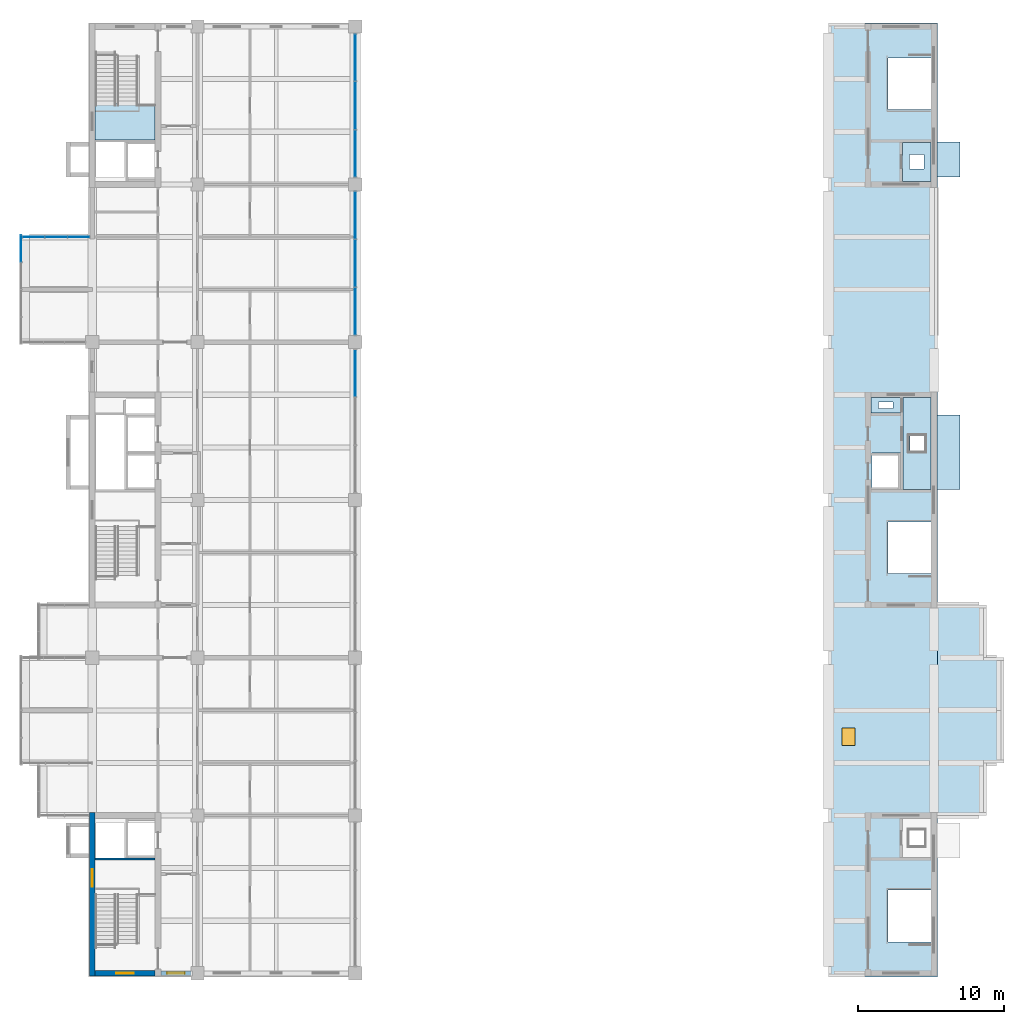
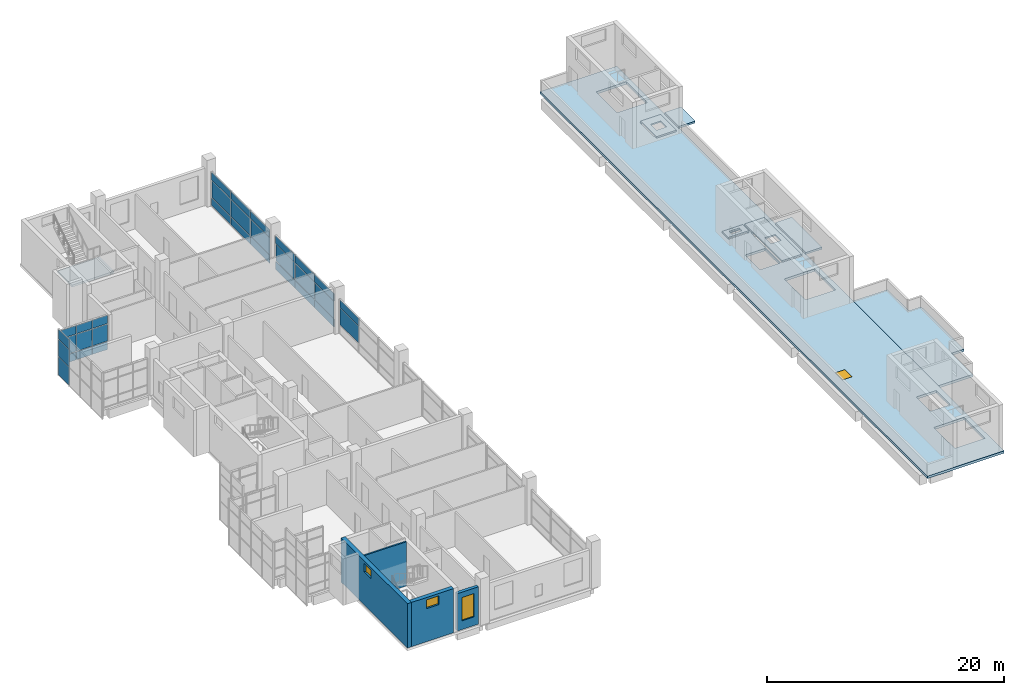
# One storey, part 14 of 23: 32 plates, 8 slabs, 4 walls, 4 windows, 4 openings, 6 elements without a shape of their own.
"""IFC4 building model written with IfcOpenShell, lengths in metres."""

from ifc_helpers import new_model, si_unit, direction, frame, frame_2d, origin, origin_2d, place, context, subcontext, project, spatial, polyline, rectangle, outline, extrude, material, layer, layer_set, type_object, element, fill, aggregate, save


model = new_model("IFC4")

# Units and contexts
model_context = context("Model", 3, precision=1e-05, world=origin(), true_north=direction((0.0, 1.0)))
body_context = subcontext(model_context, "Body", "Model", "MODEL_VIEW")
ifc_project = project(units=[si_unit("LENGTHUNIT", "METRE"), si_unit("AREAUNIT", "SQUARE_METRE"), si_unit("VOLUMEUNIT", "CUBIC_METRE"), si_unit("PLANEANGLEUNIT", "RADIAN"), si_unit("MASSUNIT", "GRAM", prefix="KILO")], contexts=[model_context])

# Site, building, storey
site_placement = place(None, origin())
site = spatial("IfcSite", under=ifc_project, at=site_placement, CompositionType="ELEMENT")
building_placement = place(site_placement, origin())
building = spatial("IfcBuilding", under=site, at=building_placement, Name="Basin Gate Institute", CompositionType="ELEMENT")
storey_placement = place(building_placement, frame((0.0, 0.0, 46.199951171875)))
storey = spatial("IfcBuildingStorey", under=building, at=storey_placement, Name="L09", CompositionType="ELEMENT", Elevation=46.199951171875)

# Slabs
ifc_material_1 = material(Name="Concrete 40 MPa", Category="concrete")
ifc_layer_1 = layer(ifc_material_1, 0.14990234375)
ifc_layer_set_1 = layer_set([ifc_layer_1], Name="Concrete 40 MPa")
slab_type_1 = type_object("IfcSlabType", Name="Penthouse floor slab FS2 R60", PredefinedType="FLOOR", material=ifc_layer_set_1)
slab_1_placement = place(storey_placement, origin())
element("IfcSlab", 1, at=slab_1_placement, inside=storey, type_object=slab_type_1, material=ifc_layer_set_1, Name="Penthouse floor slab FS2 Riser Room EM", PredefinedType="FLOOR", context=body_context, shape_type="SweptSolid", body=[
    extrude(outline(polyline([(114.5, 73.449951171875), (116.5, 73.449951171875), (116.5, 74.5), (114.5, 74.5), (114.5, 73.449951171875)]), holes=[polyline([(115.0, 73.75), (116.0, 73.75), (116.0, 74.199951171875), (115.0, 74.199951171875), (115.0, 73.75)])]), origin(), (0.0, 0.0, 1.0), 0.150146484375),
])
slab_2_placement = place(storey_placement, origin())
element("IfcSlab", 2, at=slab_2_placement, inside=storey, type_object=slab_type_1, material=ifc_layer_set_1, Name="Penthouse floor slab FS2 Exhaust Fan Room EM", PredefinedType="FLOOR", context=body_context, shape_type="SweptSolid", body=[
    extrude(outline(polyline([(116.699951171875, 68.22509765625), (118.60009765625, 68.22509765625), (118.60009765625, 74.5), (116.699951171875, 74.5), (116.699951171875, 68.22509765625)]), holes=[polyline([(117.14990234375, 70.862548828125), (118.14990234375, 70.862548828125), (118.14990234375, 71.862548828125), (117.14990234375, 71.862548828125), (117.14990234375, 70.862548828125)])]), origin(), (0.0, 0.0, 1.0), 0.150146484375),
])
slab_3_placement = place(storey_placement, origin())
element("IfcSlab", 3, at=slab_3_placement, inside=storey, type_object=slab_type_1, material=ifc_layer_set_1, Name="Penthouse floor slab FS2 Electrical Room EN", PredefinedType="FLOOR", context=body_context, shape_type="SweptSolid", body=[
    extrude(outline(polyline([(116.64990234375, 89.300048828125), (118.60009765625, 89.300048828125), (118.60009765625, 91.97509765625), (116.64990234375, 91.97509765625), (116.64990234375, 89.300048828125)]), holes=[polyline([(117.125, 90.137451171875), (118.125, 90.137451171875), (118.125, 91.137451171875), (117.125, 91.137451171875), (117.125, 90.137451171875)])]), origin(), (0.0, 0.0, 1.0), 0.150146484375),
])

# Slab, opening, window
ifc_material_2 = material(Name="Concrete 40 MPa", Category="concrete")
ifc_layer_2 = layer(ifc_material_2, 0.25)
ifc_layer_set_2 = layer_set([ifc_layer_2], Name="Concrete 40 MPa")
slab_type_2 = type_object("IfcSlabType", Name="Slab RS4 R120", PredefinedType="ROOF", material=ifc_layer_set_2)
slab_4_placement = place(storey_placement, frame((0.0, 0.0, -0.25)))
slab_4 = element("IfcSlab", 4, at=slab_4_placement, inside=storey, type_object=slab_type_2, material=ifc_layer_set_2, Name="SLAB/L09/E", PredefinedType="ROOF", context=body_context, shape_type="SweptSolid", body=[
    extrude(outline(polyline([(119.050048828125, 100.14990234375), (111.60009765625, 100.14990234375), (111.60009765625, 34.85009765625), (119.050048828125, 34.85009765625), (119.050048828125, 100.14990234375)]), holes=[polyline([(118.60009765625, 40.7900390625), (115.64990234375, 40.7900390625), (115.64990234375, 37.25), (118.60009765625, 37.25), (118.60009765625, 40.7900390625)]), polyline([(118.60009765625, 65.989990234375), (115.64990234375, 65.989990234375), (115.64990234375, 62.449951171875), (118.60009765625, 62.449951171875), (118.60009765625, 65.989990234375)]), polyline([(118.60009765625, 97.75), (115.64990234375, 97.75), (115.64990234375, 94.2099609375), (118.60009765625, 94.2099609375), (118.60009765625, 97.75)]), polyline([(118.550048828125, 45.39990234375), (116.60009765625, 45.39990234375), (116.60009765625, 43.0), (118.550048828125, 43.0), (118.550048828125, 45.39990234375)]), polyline([(118.550048828125, 73.300048828125), (116.60009765625, 73.300048828125), (116.60009765625, 68.199951171875), (118.550048828125, 68.199951171875), (118.550048828125, 73.300048828125)]), polyline([(116.5, 74.39990234375), (114.550048828125, 74.39990234375), (114.550048828125, 73.39990234375), (116.5, 73.39990234375), (116.5, 74.39990234375)]), polyline([(118.550048828125, 92.0), (116.60009765625, 92.0), (116.60009765625, 89.60009765625), (118.550048828125, 89.60009765625), (118.550048828125, 92.0)]), polyline([(116.5, 70.699951171875), (114.550048828125, 70.699951171875), (114.550048828125, 68.199951171875), (116.5, 68.199951171875), (116.5, 70.699951171875)]), polyline([(112.5, 50.699951171875), (113.39990234375, 50.699951171875), (113.39990234375, 51.89990234375), (112.5, 51.89990234375), (112.5, 50.699951171875)])]), origin(), (0.0, 0.0, 1.0), 0.25),
])
opening_1_placement = place(slab_4_placement, frame((112.949951171875, 51.300048828125, 0.0)))
opening_1 = element("IfcOpeningElement", 5, at=opening_1_placement, cuts=slab_4, Name="Opening RH1", PredefinedType="OPENING", context=body_context, shape_type="SweptSolid", body=[
    extrude(rectangle(XDim=0.89990234375, YDim=1.199951171875, at=origin_2d()), origin(), (0.0, 0.0, 1.0), 0.25),
])
ifc_material_3 = material(Name="Aluminium", Category="aluminium")
window_type_1 = type_object("IfcWindowType", Name="Roof access hatch RH1", PartitioningType="SINGLE_PANEL", PredefinedType="SKYLIGHT", material=ifc_material_3)
window_1_placement = place(opening_1_placement, frame((0.0, 0.0, 0.199951171875)))
window_1 = element("IfcWindow", 6, at=window_1_placement, inside=storey, type_object=window_type_1, material=ifc_material_3, Name="Roof access hatch RH1 E", OverallHeight=1.199951171875, OverallWidth=0.89990234375, PartitioningType="SINGLE_PANEL", PredefinedType="SKYLIGHT", context=body_context, shape_type="SweptSolid", body=[
    extrude(rectangle(XDim=0.89990234375, YDim=1.199951171875, at=origin_2d()), origin(), (0.0, 0.0, 1.0), 0.050048828125),
])
fill(opening_1, window_1)

# Slabs
slab_5_placement = place(storey_placement, frame((0.0, 0.0, -0.25)))
element("IfcSlab", 7, at=slab_5_placement, inside=storey, type_object=slab_type_2, material=ifc_layer_set_2, Name="SLAB/L09/EK11", PredefinedType="ROOF", context=body_context, shape_type="SweptSolid", body=[
    extrude(outline(polyline([(119.050048828125, 45.89990234375), (119.050048828125, 60.300048828125), (122.39990234375, 60.300048828125), (122.39990234375, 56.699951171875), (123.60009765625, 56.699951171875), (123.60009765625, 49.5), (122.39990234375, 49.5), (122.39990234375, 45.89990234375), (119.050048828125, 45.89990234375)])), origin(), (0.0, 0.0, 1.0), 0.25),
])
ifc_material_4 = material(Name="Concrete 40 MPa", Category="concrete")
ifc_layer_3 = layer(ifc_material_4, 0.199951171875)
ifc_layer_set_3 = layer_set([ifc_layer_3], Name="Concrete 40 MPa")
slab_type_3 = type_object("IfcSlabType", Name="Slab RS8 R120", PredefinedType="ROOF", material=ifc_layer_set_3)
slab_6_placement = place(storey_placement, origin())
element("IfcSlab", 8, at=slab_6_placement, inside=storey, type_object=slab_type_3, material=ifc_layer_set_3, Name="SLAB/L08/EM/SKCAP", PredefinedType="ROOF", context=body_context, shape_type="SweptSolid", body=[
    extrude(outline(polyline([(119.0, 68.199951171875), (120.60009765625, 68.199951171875), (120.60009765625, 73.300048828125), (119.0, 73.300048828125), (119.0, 68.199951171875)])), origin(), (0.0, 0.0, 1.0), 0.199951171875),
])
slab_7_placement = place(storey_placement, origin())
element("IfcSlab", 9, at=slab_7_placement, inside=storey, type_object=slab_type_3, material=ifc_layer_set_3, Name="SLAB/L08/EN/SKCAP", PredefinedType="ROOF", context=body_context, shape_type="SweptSolid", body=[
    extrude(outline(polyline([(119.0, 89.60009765625), (120.60009765625, 89.60009765625), (120.60009765625, 92.0), (119.0, 92.0), (119.0, 89.60009765625)])), origin(), (0.0, 0.0, 1.0), 0.199951171875),
])

# Curtain wall, plate
ifc_material_5 = material(Name="Aluminium-framed glazing", Category="aluminium")
ifc_layer_4 = layer(ifc_material_5, 0.199951171875)
ifc_layer_set_4 = layer_set([ifc_layer_4], Name="Atrium curtain wall CW2")
curtain_wall_type_1 = type_object("IfcCurtainWallType", Name="Atrium curtain wall CW2", PredefinedType="NOTDEFINED", material=ifc_layer_set_4)
curtain_wall_1_placement = place(storey_placement, origin())
curtain_wall_1 = element("IfcCurtainWall", 10, at=curtain_wall_1_placement, inside=storey, type_object=curtain_wall_type_1, material=ifc_layer_set_4, Name="Atrium curtain wall W wing atrium bay 4 L09", PredefinedType="NOTDEFINED")
ifc_material_6 = material(Name="Aluminium insulated spandrel panel", Category="aluminium")
ifc_layer_5 = layer(ifc_material_6, 0.050048828125)
ifc_layer_set_5 = layer_set([ifc_layer_5], Name="Spandrel panel PN2")
plate_type_1 = type_object("IfcPlateType", Name="Spandrel panel PN2", PredefinedType="CURTAIN_PANEL", material=ifc_layer_set_5)
plate_1_placement = place(storey_placement, frame((79.199951171875, 76.18505859375, 2.72998046875), z_axis=(0.0, 0.0, 1.0), x_axis=(0.0, 1.0, 0.0)))
plate_1 = element("IfcPlate", 11, at=plate_1_placement, type_object=plate_type_1, material=ifc_layer_set_5, Name="CW2 spandrel panel 3.3", PredefinedType="CURTAIN_PANEL", context=body_context, shape_type="SweptSolid", body=[
    extrude(rectangle(XDim=3.2099609375, YDim=0.050048828125, at=origin_2d()), origin(), (0.0, 0.0, 1.0), 0.760009765625),
])

# Curtain wall, plates
curtain_wall_2_placement = place(storey_placement, origin())
curtain_wall_2 = element("IfcCurtainWall", 12, at=curtain_wall_2_placement, inside=storey, type_object=curtain_wall_type_1, material=ifc_layer_set_4, Name="Atrium curtain wall W wing atrium bay 5 L09", PredefinedType="NOTDEFINED")
plate_2_placement = place(storey_placement, frame((79.199951171875, 80.4150390625, 0.06005859375), z_axis=(0.0, 0.0, 1.0), x_axis=(0.0, 1.0, 0.0)))
plate_2 = element("IfcPlate", 13, at=plate_2_placement, type_object=plate_type_1, material=ifc_layer_set_5, Name="CW2 spandrel panel 1.1", PredefinedType="CURTAIN_PANEL", context=body_context, shape_type="SweptSolid", body=[
    extrude(rectangle(XDim=3.2099609375, YDim=0.050048828125, at=origin_2d()), origin(), (0.0, 0.0, 1.0), 0.81005859375),
])
plate_3_placement = place(storey_placement, frame((79.199951171875, 80.4150390625, 2.72998046875), z_axis=(0.0, 0.0, 1.0), x_axis=(0.0, 1.0, 0.0)))
plate_3 = element("IfcPlate", 14, at=plate_3_placement, type_object=plate_type_1, material=ifc_layer_set_5, Name="CW2 spandrel panel 1.3", PredefinedType="CURTAIN_PANEL", context=body_context, shape_type="SweptSolid", body=[
    extrude(rectangle(XDim=3.2099609375, YDim=0.050048828125, at=origin_2d()), origin(), (0.0, 0.0, 1.0), 0.760009765625),
])
plate_4_placement = place(storey_placement, frame((79.199951171875, 83.699951171875, 0.06005859375), z_axis=(0.0, 0.0, 1.0), x_axis=(0.0, 1.0, 0.0)))
plate_4 = element("IfcPlate", 15, at=plate_4_placement, type_object=plate_type_1, material=ifc_layer_set_5, Name="CW2 spandrel panel 2.1", PredefinedType="CURTAIN_PANEL", context=body_context, shape_type="SweptSolid", body=[
    extrude(rectangle(XDim=3.239990234375, YDim=0.050048828125, at=origin_2d()), origin(), (0.0, 0.0, 1.0), 0.81005859375),
])
plate_5_placement = place(storey_placement, frame((79.199951171875, 83.699951171875, 2.72998046875), z_axis=(0.0, 0.0, 1.0), x_axis=(0.0, 1.0, 0.0)))
plate_5 = element("IfcPlate", 16, at=plate_5_placement, type_object=plate_type_1, material=ifc_layer_set_5, Name="CW2 spandrel panel 2.3", PredefinedType="CURTAIN_PANEL", context=body_context, shape_type="SweptSolid", body=[
    extrude(rectangle(XDim=3.239990234375, YDim=0.050048828125, at=origin_2d()), origin(), (0.0, 0.0, 1.0), 0.760009765625),
])
plate_6_placement = place(storey_placement, frame((79.199951171875, 86.985107421875, 0.06005859375), z_axis=(0.0, 0.0, 1.0), x_axis=(0.0, 1.0, 0.0)))
plate_6 = element("IfcPlate", 17, at=plate_6_placement, type_object=plate_type_1, material=ifc_layer_set_5, Name="CW2 spandrel panel 3.1", PredefinedType="CURTAIN_PANEL", context=body_context, shape_type="SweptSolid", body=[
    extrude(rectangle(XDim=3.2099609375, YDim=0.050048828125, at=origin_2d()), origin(), (0.0, 0.0, 1.0), 0.81005859375),
])
plate_7_placement = place(storey_placement, frame((79.199951171875, 86.985107421875, 2.72998046875), z_axis=(0.0, 0.0, 1.0), x_axis=(0.0, 1.0, 0.0)))
plate_7 = element("IfcPlate", 18, at=plate_7_placement, type_object=plate_type_1, material=ifc_layer_set_5, Name="CW2 spandrel panel 3.3", PredefinedType="CURTAIN_PANEL", context=body_context, shape_type="SweptSolid", body=[
    extrude(rectangle(XDim=3.2099609375, YDim=0.050048828125, at=origin_2d()), origin(), (0.0, 0.0, 1.0), 0.760009765625),
])

curtain_wall_3_placement = place(storey_placement, origin())
curtain_wall_3 = element("IfcCurtainWall", 19, at=curtain_wall_3_placement, inside=storey, type_object=curtain_wall_type_1, material=ifc_layer_set_4, Name="Atrium curtain wall W wing atrium bay 6 L09", PredefinedType="NOTDEFINED")
plate_8_placement = place(storey_placement, frame((79.199951171875, 91.215087890625, 0.06005859375), z_axis=(0.0, 0.0, 1.0), x_axis=(0.0, 1.0, 0.0)))
plate_8 = element("IfcPlate", 20, at=plate_8_placement, type_object=plate_type_1, material=ifc_layer_set_5, Name="CW2 spandrel panel 1.1", PredefinedType="CURTAIN_PANEL", context=body_context, shape_type="SweptSolid", body=[
    extrude(rectangle(XDim=3.2099609375, YDim=0.050048828125, at=origin_2d()), origin(), (0.0, 0.0, 1.0), 0.81005859375),
])
plate_9_placement = place(storey_placement, frame((79.199951171875, 91.215087890625, 2.72998046875), z_axis=(0.0, 0.0, 1.0), x_axis=(0.0, 1.0, 0.0)))
plate_9 = element("IfcPlate", 21, at=plate_9_placement, type_object=plate_type_1, material=ifc_layer_set_5, Name="CW2 spandrel panel 1.3", PredefinedType="CURTAIN_PANEL", context=body_context, shape_type="SweptSolid", body=[
    extrude(rectangle(XDim=3.2099609375, YDim=0.050048828125, at=origin_2d()), origin(), (0.0, 0.0, 1.0), 0.760009765625),
])
plate_10_placement = place(storey_placement, frame((79.199951171875, 94.5, 0.06005859375), z_axis=(0.0, 0.0, 1.0), x_axis=(0.0, 1.0, 0.0)))
plate_10 = element("IfcPlate", 22, at=plate_10_placement, type_object=plate_type_1, material=ifc_layer_set_5, Name="CW2 spandrel panel 2.1", PredefinedType="CURTAIN_PANEL", context=body_context, shape_type="SweptSolid", body=[
    extrude(rectangle(XDim=3.239990234375, YDim=0.050048828125, at=origin_2d()), origin(), (0.0, 0.0, 1.0), 0.81005859375),
])
plate_11_placement = place(storey_placement, frame((79.199951171875, 94.5, 2.72998046875), z_axis=(0.0, 0.0, 1.0), x_axis=(0.0, 1.0, 0.0)))
plate_11 = element("IfcPlate", 23, at=plate_11_placement, type_object=plate_type_1, material=ifc_layer_set_5, Name="CW2 spandrel panel 2.3", PredefinedType="CURTAIN_PANEL", context=body_context, shape_type="SweptSolid", body=[
    extrude(rectangle(XDim=3.239990234375, YDim=0.050048828125, at=origin_2d()), origin(), (0.0, 0.0, 1.0), 0.760009765625),
])
plate_12_placement = place(storey_placement, frame((79.199951171875, 97.784912109375, 0.06005859375), z_axis=(0.0, 0.0, 1.0), x_axis=(0.0, 1.0, 0.0)))
plate_12 = element("IfcPlate", 24, at=plate_12_placement, type_object=plate_type_1, material=ifc_layer_set_5, Name="CW2 spandrel panel 3.1", PredefinedType="CURTAIN_PANEL", context=body_context, shape_type="SweptSolid", body=[
    extrude(rectangle(XDim=3.2099609375, YDim=0.050048828125, at=origin_2d()), origin(), (0.0, 0.0, 1.0), 0.81005859375),
])
plate_13_placement = place(storey_placement, frame((79.199951171875, 97.784912109375, 2.72998046875), z_axis=(0.0, 0.0, 1.0), x_axis=(0.0, 1.0, 0.0)))
plate_13 = element("IfcPlate", 25, at=plate_13_placement, type_object=plate_type_1, material=ifc_layer_set_5, Name="CW2 spandrel panel 3.3", PredefinedType="CURTAIN_PANEL", context=body_context, shape_type="SweptSolid", body=[
    extrude(rectangle(XDim=3.2099609375, YDim=0.050048828125, at=origin_2d()), origin(), (0.0, 0.0, 1.0), 0.760009765625),
])

ifc_material_7 = material(Name="Aluminium-framed glazing", Category="aluminium")
ifc_layer_6 = layer(ifc_material_7, 0.14990234375)
ifc_layer_set_6 = layer_set([ifc_layer_6], Name="Capsule front curtain wall CW1")
curtain_wall_type_2 = type_object("IfcCurtainWallType", Name="Capsule front curtain wall CW1", PredefinedType="NOTDEFINED", material=ifc_layer_set_6)
curtain_wall_4_placement = place(storey_placement, origin())
curtain_wall_4 = element("IfcCurtainWall", 26, at=curtain_wall_4_placement, inside=storey, type_object=curtain_wall_type_2, material=ifc_layer_set_6, Name="Capsule front curtain wall W wing capsule end L09 line 15", PredefinedType="NOTDEFINED")
plate_14_placement = place(storey_placement, frame((57.1875, 85.5, 0.06005859375), z_axis=(0.0, 0.0, 1.0), x_axis=(1.0, 0.0, 0.0)))
plate_14 = element("IfcPlate", 27, at=plate_14_placement, type_object=plate_type_1, material=ifc_layer_set_5, Name="CW1 spandrel panel 1.1", PredefinedType="CURTAIN_PANEL", context=body_context, shape_type="SweptSolid", body=[
    extrude(rectangle(XDim=1.47509765625, YDim=0.050048828125, at=origin_2d()), origin(), (0.0, 0.0, 1.0), 0.81005859375),
])
plate_15_placement = place(storey_placement, frame((58.72509765625, 85.5, 0.06005859375), z_axis=(0.0, 0.0, 1.0), x_axis=(1.0, 0.0, 0.0)))
plate_15 = element("IfcPlate", 28, at=plate_15_placement, type_object=plate_type_1, material=ifc_layer_set_5, Name="CW1 spandrel panel 2.1", PredefinedType="CURTAIN_PANEL", context=body_context, shape_type="SweptSolid", body=[
    extrude(rectangle(XDim=1.5, YDim=0.050048828125, at=origin_2d()), origin(), (0.0, 0.0, 1.0), 0.81005859375),
])
plate_16_placement = place(storey_placement, frame((60.262451171875, 85.5, 0.06005859375), z_axis=(0.0, 0.0, 1.0), x_axis=(1.0, 0.0, 0.0)))
plate_16 = element("IfcPlate", 29, at=plate_16_placement, type_object=plate_type_1, material=ifc_layer_set_5, Name="CW1 spandrel panel 3.1", PredefinedType="CURTAIN_PANEL", context=body_context, shape_type="SweptSolid", body=[
    extrude(rectangle(XDim=1.47509765625, YDim=0.050048828125, at=origin_2d()), origin(), (0.0, 0.0, 1.0), 0.81005859375),
])

# Curtain wall, plate
curtain_wall_5_placement = place(storey_placement, origin())
curtain_wall_5 = element("IfcCurtainWall", 30, at=curtain_wall_5_placement, inside=storey, type_object=curtain_wall_type_2, material=ifc_layer_set_6, Name="Capsule front curtain wall W wing capsule 2 L09 front 2", PredefinedType="NOTDEFINED")
plate_17_placement = place(storey_placement, frame((56.324951171875, 84.699951171875, -0.990234375), z_axis=(0.0, 0.0, 1.0), x_axis=(0.0, 1.0, 0.0)))
plate_17 = element("IfcPlate", 31, at=plate_17_placement, type_object=plate_type_1, material=ifc_layer_set_5, Name="CW1 spandrel panel 4.1", PredefinedType="CURTAIN_PANEL", context=body_context, shape_type="SweptSolid", body=[
    extrude(rectangle(XDim=1.800048828125, YDim=0.050048828125, at=origin_2d()), origin(), (0.0, 0.0, 1.0), 1.860107421875),
])

# Stair, slab
ifc_material_8 = material(Name="Concrete 40 MPa", Category="concrete")
stair_type = type_object("IfcStairType", Name="Stair ST", PredefinedType="HALF_TURN_STAIR", material=ifc_material_8)
stair_placement = place(storey_placement, origin())
stair = element("IfcStair", 32, at=stair_placement, inside=storey, type_object=stair_type, material=ifc_material_8, Name="Special safe stair ST-WN L09", PredefinedType="HALF_TURN_STAIR")
ifc_material_9 = material(Name="Concrete 40 MPa", Category="concrete")
ifc_layer_7 = layer(ifc_material_9, 0.199951171875)
ifc_layer_set_7 = layer_set([ifc_layer_7], Name="Concrete 40 MPa")
slab_type_4 = type_object("IfcSlabType", Name="Stair landing LN REI 120", PredefinedType="LANDING", material=ifc_layer_set_7)
slab_8_placement = place(storey_placement, frame((0.0, 0.0, 2.288818359375)))
slab_8 = element("IfcSlab", 33, at=slab_8_placement, type_object=slab_type_4, material=ifc_layer_set_7, Name="Stair landing ST-WN-L1 L09", PredefinedType="LANDING", context=body_context, shape_type="SweptSolid", body=[
    extrude(outline(polyline([(61.39990234375, 92.14990234375), (65.5, 92.14990234375), (65.5, 94.6298828125), (61.39990234375, 94.6298828125), (61.39990234375, 92.14990234375)])), origin(), (0.0, 0.0, 1.0), 0.2001953125),
])
aggregate(stair, [slab_8])

# Plate
ifc_material_10 = material(Name="Double glazed unit")
ifc_layer_8 = layer(ifc_material_10, 0.028076171875)
ifc_layer_set_8 = layer_set([ifc_layer_8], Name="Vision panel PN1")
plate_type_2 = type_object("IfcPlateType", Name="Vision panel PN1", PredefinedType="CURTAIN_PANEL", material=ifc_layer_set_8)
plate_18_placement = place(storey_placement, frame((79.199951171875, 76.18505859375, 0.93017578125), z_axis=(0.0, 0.0, 1.0), x_axis=(0.0, 1.0, 0.0)))
plate_18 = element("IfcPlate", 34, at=plate_18_placement, type_object=plate_type_2, material=ifc_layer_set_8, Name="CW2 vision panel 3.2", PredefinedType="CURTAIN_PANEL", context=body_context, shape_type="SweptSolid", body=[
    extrude(rectangle(XDim=3.2099609375, YDim=0.028076171875, at=origin_2d()), origin(), (0.0, 0.0, 1.0), 1.739990234375),
])

aggregate(curtain_wall_1, [plate_18, plate_1])

plate_19_placement = place(storey_placement, frame((79.199951171875, 80.4150390625, 0.93017578125), z_axis=(0.0, 0.0, 1.0), x_axis=(0.0, 1.0, 0.0)))
plate_19 = element("IfcPlate", 35, at=plate_19_placement, type_object=plate_type_2, material=ifc_layer_set_8, Name="CW2 vision panel 1.2", PredefinedType="CURTAIN_PANEL", context=body_context, shape_type="SweptSolid", body=[
    extrude(rectangle(XDim=3.2099609375, YDim=0.028076171875, at=origin_2d()), origin(), (0.0, 0.0, 1.0), 1.739990234375),
])

plate_20_placement = place(storey_placement, frame((79.199951171875, 83.699951171875, 0.93017578125), z_axis=(0.0, 0.0, 1.0), x_axis=(0.0, 1.0, 0.0)))
plate_20 = element("IfcPlate", 36, at=plate_20_placement, type_object=plate_type_2, material=ifc_layer_set_8, Name="CW2 vision panel 2.2", PredefinedType="CURTAIN_PANEL", context=body_context, shape_type="SweptSolid", body=[
    extrude(rectangle(XDim=3.239990234375, YDim=0.028076171875, at=origin_2d()), origin(), (0.0, 0.0, 1.0), 1.739990234375),
])

plate_21_placement = place(storey_placement, frame((79.199951171875, 86.985107421875, 0.93017578125), z_axis=(0.0, 0.0, 1.0), x_axis=(0.0, 1.0, 0.0)))
plate_21 = element("IfcPlate", 37, at=plate_21_placement, type_object=plate_type_2, material=ifc_layer_set_8, Name="CW2 vision panel 3.2", PredefinedType="CURTAIN_PANEL", context=body_context, shape_type="SweptSolid", body=[
    extrude(rectangle(XDim=3.2099609375, YDim=0.028076171875, at=origin_2d()), origin(), (0.0, 0.0, 1.0), 1.739990234375),
])

aggregate(curtain_wall_2, [plate_2, plate_19, plate_3, plate_4, plate_20, plate_5, plate_6, plate_21, plate_7])

plate_22_placement = place(storey_placement, frame((79.199951171875, 91.215087890625, 0.93017578125), z_axis=(0.0, 0.0, 1.0), x_axis=(0.0, 1.0, 0.0)))
plate_22 = element("IfcPlate", 38, at=plate_22_placement, type_object=plate_type_2, material=ifc_layer_set_8, Name="CW2 vision panel 1.2", PredefinedType="CURTAIN_PANEL", context=body_context, shape_type="SweptSolid", body=[
    extrude(rectangle(XDim=3.2099609375, YDim=0.028076171875, at=origin_2d()), origin(), (0.0, 0.0, 1.0), 1.739990234375),
])

plate_23_placement = place(storey_placement, frame((79.199951171875, 94.5, 0.93017578125), z_axis=(0.0, 0.0, 1.0), x_axis=(0.0, 1.0, 0.0)))
plate_23 = element("IfcPlate", 39, at=plate_23_placement, type_object=plate_type_2, material=ifc_layer_set_8, Name="CW2 vision panel 2.2", PredefinedType="CURTAIN_PANEL", context=body_context, shape_type="SweptSolid", body=[
    extrude(rectangle(XDim=3.239990234375, YDim=0.028076171875, at=origin_2d()), origin(), (0.0, 0.0, 1.0), 1.739990234375),
])

plate_24_placement = place(storey_placement, frame((79.199951171875, 97.784912109375, 0.93017578125), z_axis=(0.0, 0.0, 1.0), x_axis=(0.0, 1.0, 0.0)))
plate_24 = element("IfcPlate", 40, at=plate_24_placement, type_object=plate_type_2, material=ifc_layer_set_8, Name="CW2 vision panel 3.2", PredefinedType="CURTAIN_PANEL", context=body_context, shape_type="SweptSolid", body=[
    extrude(rectangle(XDim=3.2099609375, YDim=0.028076171875, at=origin_2d()), origin(), (0.0, 0.0, 1.0), 1.739990234375),
])

aggregate(curtain_wall_3, [plate_8, plate_22, plate_9, plate_10, plate_23, plate_11, plate_12, plate_24, plate_13])

plate_25_placement = place(storey_placement, frame((57.1875, 85.5, 0.93017578125), z_axis=(0.0, 0.0, 1.0), x_axis=(1.0, 0.0, 0.0)))
plate_25 = element("IfcPlate", 41, at=plate_25_placement, type_object=plate_type_2, material=ifc_layer_set_8, Name="CW1 vision panel 1.2", PredefinedType="CURTAIN_PANEL", context=body_context, shape_type="SweptSolid", body=[
    extrude(rectangle(XDim=1.47509765625, YDim=0.028076171875, at=origin_2d()), origin(), (0.0, 0.0, 1.0), 1.739990234375),
])

plate_26_placement = place(storey_placement, frame((57.1875, 85.5, 2.72998046875), z_axis=(0.0, 0.0, 1.0), x_axis=(1.0, 0.0, 0.0)))
plate_26 = element("IfcPlate", 42, at=plate_26_placement, type_object=plate_type_2, material=ifc_layer_set_8, Name="CW1 vision panel 1.3", PredefinedType="CURTAIN_PANEL", context=body_context, shape_type="SweptSolid", body=[
    extrude(rectangle(XDim=1.47509765625, YDim=0.028076171875, at=origin_2d()), origin(), (0.0, 0.0, 1.0), 0.860107421875),
])

plate_27_placement = place(storey_placement, frame((58.72509765625, 85.5, 0.93017578125), z_axis=(0.0, 0.0, 1.0), x_axis=(1.0, 0.0, 0.0)))
plate_27 = element("IfcPlate", 43, at=plate_27_placement, type_object=plate_type_2, material=ifc_layer_set_8, Name="CW1 vision panel 2.2", PredefinedType="CURTAIN_PANEL", context=body_context, shape_type="SweptSolid", body=[
    extrude(rectangle(XDim=1.5, YDim=0.028076171875, at=origin_2d()), origin(), (0.0, 0.0, 1.0), 1.739990234375),
])

plate_28_placement = place(storey_placement, frame((58.72509765625, 85.5, 2.72998046875), z_axis=(0.0, 0.0, 1.0), x_axis=(1.0, 0.0, 0.0)))
plate_28 = element("IfcPlate", 44, at=plate_28_placement, type_object=plate_type_2, material=ifc_layer_set_8, Name="CW1 vision panel 2.3", PredefinedType="CURTAIN_PANEL", context=body_context, shape_type="SweptSolid", body=[
    extrude(rectangle(XDim=1.5, YDim=0.028076171875, at=origin_2d()), origin(), (0.0, 0.0, 1.0), 0.860107421875),
])

plate_29_placement = place(storey_placement, frame((60.262451171875, 85.5, 0.93017578125), z_axis=(0.0, 0.0, 1.0), x_axis=(1.0, 0.0, 0.0)))
plate_29 = element("IfcPlate", 45, at=plate_29_placement, type_object=plate_type_2, material=ifc_layer_set_8, Name="CW1 vision panel 3.2", PredefinedType="CURTAIN_PANEL", context=body_context, shape_type="SweptSolid", body=[
    extrude(rectangle(XDim=1.47509765625, YDim=0.028076171875, at=origin_2d()), origin(), (0.0, 0.0, 1.0), 1.739990234375),
])

plate_30_placement = place(storey_placement, frame((60.262451171875, 85.5, 2.72998046875), z_axis=(0.0, 0.0, 1.0), x_axis=(1.0, 0.0, 0.0)))
plate_30 = element("IfcPlate", 46, at=plate_30_placement, type_object=plate_type_2, material=ifc_layer_set_8, Name="CW1 vision panel 3.3", PredefinedType="CURTAIN_PANEL", context=body_context, shape_type="SweptSolid", body=[
    extrude(rectangle(XDim=1.47509765625, YDim=0.028076171875, at=origin_2d()), origin(), (0.0, 0.0, 1.0), 0.860107421875),
])

aggregate(curtain_wall_4, [plate_14, plate_25, plate_26, plate_15, plate_27, plate_28, plate_16, plate_29, plate_30])

plate_31_placement = place(storey_placement, frame((56.324951171875, 84.699951171875, 0.93017578125), z_axis=(0.0, 0.0, 1.0), x_axis=(0.0, 1.0, 0.0)))
plate_31 = element("IfcPlate", 47, at=plate_31_placement, type_object=plate_type_2, material=ifc_layer_set_8, Name="CW1 vision panel 4.2", PredefinedType="CURTAIN_PANEL", context=body_context, shape_type="SweptSolid", body=[
    extrude(rectangle(XDim=1.800048828125, YDim=0.028076171875, at=origin_2d()), origin(), (0.0, 0.0, 1.0), 1.739990234375),
])

plate_32_placement = place(storey_placement, frame((56.324951171875, 84.699951171875, 2.72998046875), z_axis=(0.0, 0.0, 1.0), x_axis=(0.0, 1.0, 0.0)))
plate_32 = element("IfcPlate", 48, at=plate_32_placement, type_object=plate_type_2, material=ifc_layer_set_8, Name="CW1 vision panel 4.3", PredefinedType="CURTAIN_PANEL", context=body_context, shape_type="SweptSolid", body=[
    extrude(rectangle(XDim=1.800048828125, YDim=0.028076171875, at=origin_2d()), origin(), (0.0, 0.0, 1.0), 0.9599609375),
])

aggregate(curtain_wall_5, [plate_17, plate_31, plate_32])

# Wall, opening, window
ifc_material_11 = material(Name="Aluminium-faced insulated panel wall", Category="aluminium")
ifc_layer_9 = layer(ifc_material_11, 0.300048828125)
ifc_layer_set_9 = layer_set([ifc_layer_9], Name="External wall EW1 EI 120")
wall_type_1 = type_object("IfcWallType", Name="External wall EW1 EI 120", PredefinedType="STANDARD", material=ifc_layer_set_9)
wall_1_placement = place(storey_placement, frame((65.89990234375, 35.10009765625, 0.0), z_axis=(0.0, 0.0, 1.0), x_axis=(1.0, 0.0, 0.0)))
wall_1 = element("IfcWall", 49, at=wall_1_placement, inside=storey, type_object=wall_type_1, material=ifc_layer_set_9, Name="External end wall W wing south L09 1", PredefinedType="STANDARD", context=body_context, shape_type="SweptSolid", body=[
    extrude(rectangle(XDim=2.050048828125, YDim=0.300048828125, at=frame_2d((1.02490234375, 0.0))), origin(), (0.0, 0.0, 1.0), 3.85009765625),
])
opening_2_placement = place(wall_1_placement, frame((0.425048828125, 0.0, 0.89990234375)))
opening_2 = element("IfcOpeningElement", 50, at=opening_2_placement, cuts=wall_1, Name="Opening WN4", PredefinedType="OPENING", context=body_context, shape_type="SweptSolid", body=[
    extrude(rectangle(XDim=1.199951171875, YDim=2.39990234375, at=frame_2d((0.60009765625, 1.199951171875))), frame((0.0, 0.16015625, 0.0), z_axis=(0.0, -1.0, 0.0), x_axis=(1.0, 0.0, 0.0)), (0.0, 0.0, 1.0), 0.320068359375),
])
ifc_material_12 = material(Name="Aluminium-framed double glazing", Category="aluminium")
window_type_2 = type_object("IfcWindowType", Name="Corridor end window WN4", PartitioningType="SINGLE_PANEL", PredefinedType="WINDOW", material=ifc_material_12)
window_2_placement = place(opening_2_placement, origin())
window_2 = element("IfcWindow", 51, at=window_2_placement, inside=storey, type_object=window_type_2, material=ifc_material_12, Name="Corridor end window W wing S L09", OverallHeight=2.39990234375, OverallWidth=1.199951171875, PartitioningType="SINGLE_PANEL", PredefinedType="WINDOW", context=body_context, shape_type="SweptSolid", body=[
    extrude(rectangle(XDim=1.199951171875, YDim=2.39990234375, at=frame_2d((0.60009765625, 1.199951171875))), frame((0.0, 0.030029296875, 0.0), z_axis=(0.0, -1.0, 0.0), x_axis=(1.0, 0.0, 0.0)), (0.0, 0.0, 1.0), 0.06005859375),
])
fill(opening_2, window_2)

# Wall
ifc_material_13 = material(Name="Concrete 40 MPa", Category="concrete")
ifc_layer_10 = layer(ifc_material_13, 0.14990234375)
ifc_layer_set_10 = layer_set([ifc_layer_10], Name="Concrete 40 MPa")
wall_type_2 = type_object("IfcWallType", Name="Wall SE1 stair enclosure R120", PredefinedType="SOLIDWALL", material=ifc_layer_set_10)
wall_2_placement = place(storey_placement, frame((61.39990234375, 42.925048828125, 0.0), z_axis=(0.0, 0.0, 1.0), x_axis=(1.0, 0.0, 0.0)))
element("IfcWall", 52, at=wall_2_placement, inside=storey, type_object=wall_type_2, material=ifc_layer_set_10, Name="Stair enclosure wall ST-WS L09", PredefinedType="SOLIDWALL", context=body_context, shape_type="SweptSolid", body=[
    extrude(rectangle(XDim=4.10009765625, YDim=0.14990234375, at=frame_2d((2.050048828125, 0.0))), origin(), (0.0, 0.0, 1.0), 4.550048828125),
])

# Wall, opening, window
ifc_material_14 = material(Name="Concrete 50 MPa", Category="concrete")
ifc_layer_11 = layer(ifc_material_14, 0.39990234375)
ifc_layer_set_11 = layer_set([ifc_layer_11], Name="Concrete 50 MPa")
wall_type_3 = type_object("IfcWallType", Name="Wall SW2 R120", PredefinedType="SHEAR", material=ifc_layer_set_11)
wall_3_placement = place(storey_placement, frame((61.199951171875, 34.89990234375, 0.0), z_axis=(0.0, 0.0, 1.0), x_axis=(0.0, 1.0, 0.0)))
wall_3 = element("IfcWall", 53, at=wall_3_placement, inside=storey, type_object=wall_type_3, material=ifc_layer_set_11, Name="WALL/L09/WS/L", PredefinedType="SHEAR", context=body_context, shape_type="SweptSolid", body=[
    extrude(rectangle(XDim=11.2001953125, YDim=0.39990234375, at=frame_2d((5.60009765625, 0.0))), origin(), (0.0, 0.0, 1.0), 4.550048828125),
])
opening_3_placement = place(wall_3_placement, frame((6.110107421875, 0.0, 3.39990234375)))
opening_3 = element("IfcOpeningElement", 54, at=opening_3_placement, cuts=wall_3, Name="Opening WT2", PredefinedType="OPENING", context=body_context, shape_type="SweptSolid", body=[
    extrude(rectangle(XDim=1.199951171875, YDim=0.89990234375, at=frame_2d((0.60009765625, 0.449951171875))), frame((0.0, 0.2099609375, 0.0), z_axis=(0.0, -1.0, 0.0), x_axis=(1.0, 0.0, 0.0)), (0.0, 0.0, 1.0), 0.419921875),
])
ifc_material_15 = material(Name="Fire-resistant glazing in steel-free frame", Category="steel")
window_type_3 = type_object("IfcWindowType", Name="Rated stair window EI 120 WT2", PartitioningType="SINGLE_PANEL", PredefinedType="WINDOW", material=ifc_material_15)
window_3_placement = place(opening_3_placement, origin())
window_3 = element("IfcWindow", 55, at=window_3_placement, inside=storey, type_object=window_type_3, material=ifc_material_15, Name="Rated stair window EI 120 WS landing L09", OverallHeight=0.89990234375, OverallWidth=1.199951171875, PartitioningType="SINGLE_PANEL", PredefinedType="WINDOW", context=body_context, shape_type="SweptSolid", body=[
    extrude(rectangle(XDim=1.199951171875, YDim=0.89990234375, at=frame_2d((0.60009765625, 0.449951171875))), frame((0.0, 0.030029296875, 0.0), z_axis=(0.0, -1.0, 0.0), x_axis=(1.0, 0.0, 0.0)), (0.0, 0.0, 1.0), 0.06005859375),
])
fill(opening_3, window_3)

wall_4_placement = place(storey_placement, frame((61.39990234375, 35.10009765625, 0.0), z_axis=(0.0, 0.0, 1.0), x_axis=(1.0, 0.0, 0.0)))
wall_4 = element("IfcWall", 56, at=wall_4_placement, inside=storey, type_object=wall_type_3, material=ifc_layer_set_11, Name="WALL/L09/WS/S", PredefinedType="SHEAR", context=body_context, shape_type="SweptSolid", body=[
    extrude(rectangle(XDim=4.10009765625, YDim=0.39990234375, at=frame_2d((2.050048828125, 0.0))), origin(), (0.0, 0.0, 1.0), 4.550048828125),
])
opening_4_placement = place(wall_4_placement, frame((1.449951171875, 0.0, 3.39990234375)))
opening_4 = element("IfcOpeningElement", 57, at=opening_4_placement, cuts=wall_4, Name="Opening WT2", PredefinedType="OPENING", context=body_context, shape_type="SweptSolid", body=[
    extrude(rectangle(XDim=1.199951171875, YDim=0.89990234375, at=frame_2d((0.60009765625, 0.449951171875))), frame((0.0, 0.2099609375, 0.0), z_axis=(0.0, -1.0, 0.0), x_axis=(1.0, 0.0, 0.0)), (0.0, 0.0, 1.0), 0.419921875),
])
window_4_placement = place(opening_4_placement, origin())
window_4 = element("IfcWindow", 58, at=window_4_placement, inside=storey, type_object=window_type_3, material=ifc_material_15, Name="Rated stair window EI 120 WS end L09", OverallHeight=0.89990234375, OverallWidth=1.199951171875, PartitioningType="SINGLE_PANEL", PredefinedType="WINDOW", context=body_context, shape_type="SweptSolid", body=[
    extrude(rectangle(XDim=1.199951171875, YDim=0.89990234375, at=frame_2d((0.60009765625, 0.449951171875))), frame((0.0, 0.030029296875, 0.0), z_axis=(0.0, -1.0, 0.0), x_axis=(1.0, 0.0, 0.0)), (0.0, 0.0, 1.0), 0.06005859375),
])
fill(opening_4, window_4)

save(model, "model.ifc")
